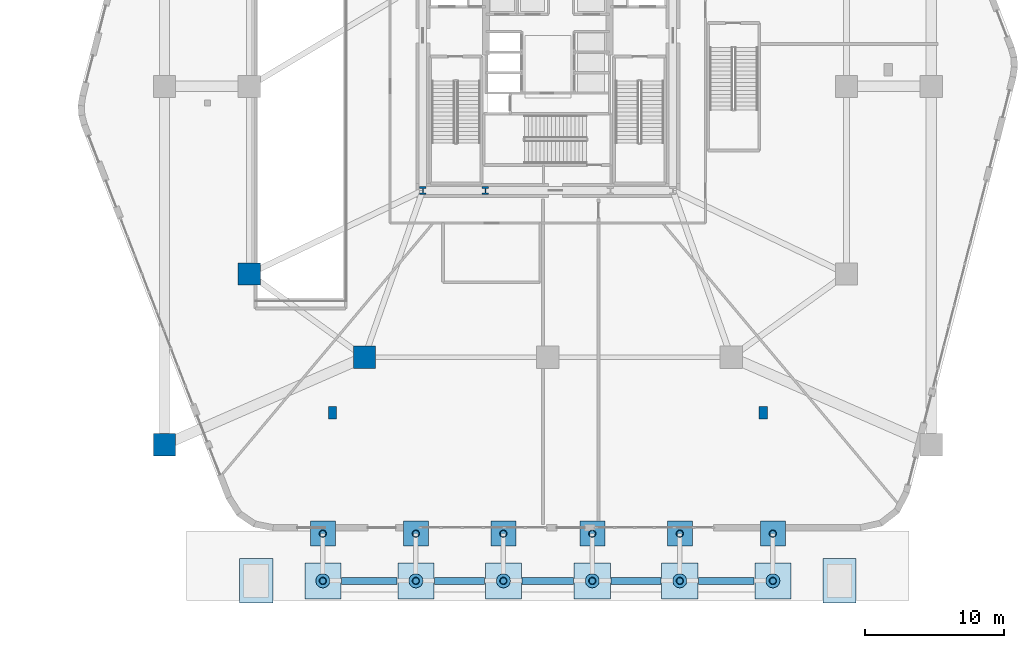
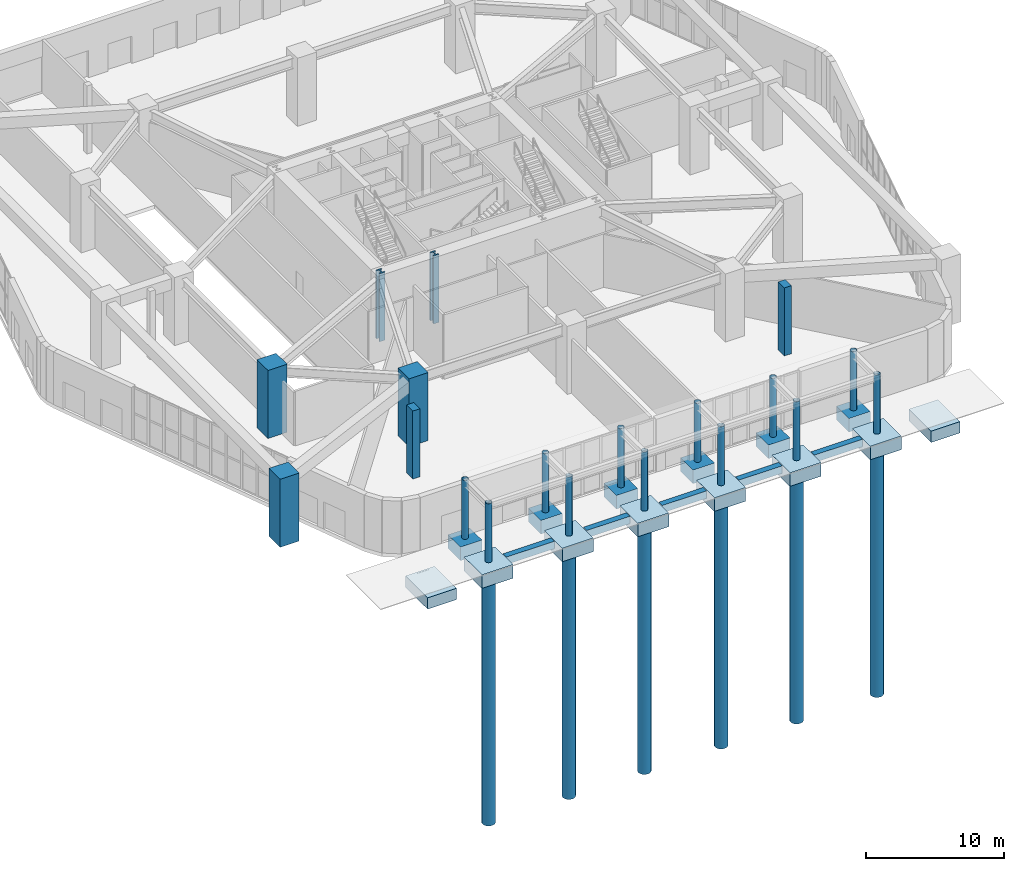
# One storey, part 1 of 35: 19 columns, 19 footings, 6 piles.
"""IFC4 building model written with IfcOpenShell, lengths in metres."""

from ifc_helpers import new_model, si_unit, direction, frame, origin, origin_2d, place, context, subcontext, project, spatial, rectangle, circle, hollow_circle, i_section, extrude, material, layer, layer_set, material_profile, profile_set, type_object, element, save


model = new_model("IFC4")

# Units and contexts
model_context = context("Model", 3, precision=1e-05, world=origin(), true_north=direction((0.0, 1.0)))
body_context = subcontext(model_context, "Body", "Model", "MODEL_VIEW")
ifc_project = project(units=[si_unit("LENGTHUNIT", "METRE"), si_unit("AREAUNIT", "SQUARE_METRE"), si_unit("VOLUMEUNIT", "CUBIC_METRE"), si_unit("PLANEANGLEUNIT", "RADIAN"), si_unit("MASSUNIT", "GRAM", prefix="KILO")], contexts=[model_context])

# Site, building, storey
site_placement = place(None, origin())
site = spatial("IfcSite", under=ifc_project, at=site_placement, CompositionType="ELEMENT")
building_placement = place(site_placement, origin())
building = spatial("IfcBuilding", under=site, at=building_placement, Name="Kilnhurst Terrace Hotel", CompositionType="ELEMENT")
storey_placement = place(building_placement, origin())
storey = spatial("IfcBuildingStorey", under=building, at=storey_placement, Name="L00", CompositionType="ELEMENT", Elevation=0.0)

# Footings
ifc_material_1 = material(Name="Concrete C50/60", Category="concrete")
ifc_material_profile_1 = material_profile(ifc_material_1, rectangle(XDim=0.5, YDim=0.64990234375, at=origin_2d()), Name="RC500X650")
ifc_profile_set_1 = profile_set([ifc_material_profile_1], Name="Concrete C50/60")
footing_type_1 = type_object("IfcFootingType", Name="FTG-GB-500X800", PredefinedType="FOOTING_BEAM", material=ifc_profile_set_1)
footing_1_placement = place(storey_placement, frame((-14.85009765625, -35.60009765625, -0.324951171875), z_axis=(1.0, 0.0, 0.0), x_axis=(0.0, 1.0, 0.0)))
element("IfcFooting", 1, at=footing_1_placement, inside=storey, type_object=footing_type_1, Name="Porte Cochere Grade Beam 1", PredefinedType="FOOTING_BEAM", context=body_context, shape_type="SweptSolid", body=[
    extrude(rectangle(XDim=0.5, YDim=0.64990234375, at=origin_2d()), origin(), (0.0, 0.0, 1.0), 4.0),
])
footing_2_placement = place(storey_placement, frame((-8.14990234375, -35.60009765625, -0.324951171875), z_axis=(1.0, 0.0, 0.0), x_axis=(0.0, 1.0, 0.0)))
element("IfcFooting", 2, at=footing_2_placement, inside=storey, type_object=footing_type_1, Name="Porte Cochere Grade Beam 2", PredefinedType="FOOTING_BEAM", context=body_context, shape_type="SweptSolid", body=[
    extrude(rectangle(XDim=0.5, YDim=0.64990234375, at=origin_2d()), origin(), (0.0, 0.0, 1.0), 3.599853515625),
])
footing_3_placement = place(storey_placement, frame((-1.85009765625, -35.60009765625, -0.324951171875), z_axis=(1.0, 0.0, 0.0), x_axis=(0.0, 1.0, 0.0)))
element("IfcFooting", 3, at=footing_3_placement, inside=storey, type_object=footing_type_1, Name="Porte Cochere Grade Beam 3", PredefinedType="FOOTING_BEAM", context=body_context, shape_type="SweptSolid", body=[
    extrude(rectangle(XDim=0.5, YDim=0.64990234375, at=origin_2d()), origin(), (0.0, 0.0, 1.0), 3.7001953125),
])
footing_4_placement = place(storey_placement, frame((4.550048828125, -35.60009765625, -0.324951171875), z_axis=(1.0, 0.0, 0.0), x_axis=(0.0, 1.0, 0.0)))
element("IfcFooting", 4, at=footing_4_placement, inside=storey, type_object=footing_type_1, Name="Porte Cochere Grade Beam 4", PredefinedType="FOOTING_BEAM", context=body_context, shape_type="SweptSolid", body=[
    extrude(rectangle(XDim=0.5, YDim=0.64990234375, at=origin_2d()), origin(), (0.0, 0.0, 1.0), 3.599853515625),
])
footing_5_placement = place(storey_placement, frame((10.85009765625, -35.60009765625, -0.324951171875), z_axis=(1.0, 0.0, 0.0), x_axis=(0.0, 1.0, 0.0)))
element("IfcFooting", 5, at=footing_5_placement, inside=storey, type_object=footing_type_1, Name="Porte Cochere Grade Beam 5", PredefinedType="FOOTING_BEAM", context=body_context, shape_type="SweptSolid", body=[
    extrude(rectangle(XDim=0.5, YDim=0.64990234375, at=origin_2d()), origin(), (0.0, 0.0, 1.0), 4.0),
])
ifc_layer_1 = layer(ifc_material_1, 1.199951171875, Name="Concrete C50/60")
ifc_layer_set_1 = layer_set([ifc_layer_1], Name="Concrete C50/60")
footing_type_2 = type_object("IfcFootingType", Name="FTG-PAD-1800", PredefinedType="PAD_FOOTING", material=ifc_layer_set_1)
for number, where, z_axis, x_axis, name in (
    (6, (-16.199951171875, -32.199951171875, -1.2001953125), (0.0, 0.0, 1.0), (1.0, 0.0, 0.0), "Porte Cochere Inner Pad Footing 1"),
    (7, (-9.5, -32.199951171875, -1.2001953125), (0.0, 0.0, 1.0), (1.0, 0.0, 0.0), "Porte Cochere Inner Pad Footing 2"),
    (8, (-3.199951171875, -32.199951171875, -1.2001953125), (0.0, 0.0, 1.0), (1.0, 0.0, 0.0), "Porte Cochere Inner Pad Footing 3"),
    (9, (3.199951171875, -32.199951171875, -1.2001953125), (0.0, 0.0, 1.0), (1.0, 0.0, 0.0), "Porte Cochere Inner Pad Footing 4"),
    (10, (9.5, -32.199951171875, -1.2001953125), (0.0, 0.0, 1.0), (1.0, 0.0, 0.0), "Porte Cochere Inner Pad Footing 5"),
    (11, (16.199951171875, -32.199951171875, -1.2001953125), (0.0, 0.0, 1.0), (1.0, 0.0, 0.0), "Porte Cochere Inner Pad Footing 6"),
):
    element("IfcFooting", number, at=place(storey_placement, frame(where, z_axis=z_axis, x_axis=x_axis)), inside=storey, type_object=footing_type_2, Name=name, PredefinedType="PAD_FOOTING", context=body_context, shape_type="SweptSolid", body=[
        extrude(rectangle(XDim=1.800048828125, YDim=1.800048828125, at=origin_2d()), origin(), (0.0, 0.0, 1.0), 1.199951171875),
    ])
ifc_layer_2 = layer(ifc_material_1, 1.0, Name="Concrete C50/60")
ifc_layer_set_2 = layer_set([ifc_layer_2], Name="Concrete C50/60")
footing_type_3 = type_object("IfcFootingType", Name="FTG-PAD-2400X3200", PredefinedType="PAD_FOOTING", material=ifc_layer_set_2)
for number, where, z_axis, x_axis, name in (
    (12, (-21.0, -35.60009765625, -1.199951171875), (0.0, 0.0, 1.0), (1.0, 0.0, 0.0), "Accessible Ramp Footing 1A"),
    (13, (21.0, -35.60009765625, -1.199951171875), (0.0, 0.0, 1.0), (1.0, 0.0, 0.0), "Accessible Ramp Footing 2A"),
):
    element("IfcFooting", number, at=place(storey_placement, frame(where, z_axis=z_axis, x_axis=x_axis)), inside=storey, type_object=footing_type_3, Name=name, PredefinedType="PAD_FOOTING", context=body_context, shape_type="SweptSolid", body=[
        extrude(rectangle(XDim=2.39990234375, YDim=3.199951171875, at=origin_2d()), origin(), (0.0, 0.0, 1.0), 1.0),
    ])
ifc_layer_3 = layer(ifc_material_1, 1.199951171875, Name="Concrete C50/60")
ifc_layer_set_3 = layer_set([ifc_layer_3], Name="Concrete C50/60")
footing_type_4 = type_object("IfcFootingType", Name="FTG-PAD-2600", PredefinedType="PAD_FOOTING", material=ifc_layer_set_3)
for number, where, z_axis, x_axis, name in (
    (14, (-16.199951171875, -35.60009765625, -1.2001953125), (0.0, 0.0, 1.0), (1.0, 0.0, 0.0), "Porte Cochere Pad Footing PF-1.1"),
    (15, (-9.5, -35.60009765625, -1.2001953125), (0.0, 0.0, 1.0), (1.0, 0.0, 0.0), "Porte Cochere Pad Footing PF-1.2"),
    (16, (-3.199951171875, -35.60009765625, -1.2001953125), (0.0, 0.0, 1.0), (1.0, 0.0, 0.0), "Porte Cochere Pad Footing PF-1.3"),
    (17, (3.199951171875, -35.60009765625, -1.2001953125), (0.0, 0.0, 1.0), (1.0, 0.0, 0.0), "Porte Cochere Pad Footing PF-1.4"),
    (18, (9.5, -35.60009765625, -1.2001953125), (0.0, 0.0, 1.0), (1.0, 0.0, 0.0), "Porte Cochere Pad Footing PF-1.5"),
    (19, (16.199951171875, -35.60009765625, -1.2001953125), (0.0, 0.0, 1.0), (1.0, 0.0, 0.0), "Porte Cochere Pad Footing PF-1.6"),
):
    element("IfcFooting", number, at=place(storey_placement, frame(where, z_axis=z_axis, x_axis=x_axis)), inside=storey, type_object=footing_type_4, Name=name, PredefinedType="PAD_FOOTING", context=body_context, shape_type="SweptSolid", body=[
        extrude(rectangle(XDim=2.60009765625, YDim=2.60009765625, at=origin_2d()), origin(), (0.0, 0.0, 1.0), 1.199951171875),
    ])

# Piles
ifc_material_profile_2 = material_profile(ifc_material_1, circle(Radius=0.5, at=origin_2d()), Name="PILE1000")
ifc_profile_set_2 = profile_set([ifc_material_profile_2], Name="Concrete C50/60")
pile_type = type_object("IfcPileType", Name="PILE-BORED-1000", PredefinedType="BORED", material=ifc_profile_set_2)
for number, where, z_axis, x_axis, name in (
    (20, (-16.199951171875, -35.60009765625, -1.050048828125), (0.0, 0.0, -1.0), (1.0, 0.0, 0.0), "Porte Cochere Drilled Shaft PL-1000.1"),
    (21, (-9.5, -35.60009765625, -1.050048828125), (0.0, 0.0, -1.0), (1.0, 0.0, 0.0), "Porte Cochere Drilled Shaft PL-1000.2"),
    (22, (-3.199951171875, -35.60009765625, -1.050048828125), (0.0, 0.0, -1.0), (1.0, 0.0, 0.0), "Porte Cochere Drilled Shaft PL-1000.3"),
    (23, (3.199951171875, -35.60009765625, -1.050048828125), (0.0, 0.0, -1.0), (1.0, 0.0, 0.0), "Porte Cochere Drilled Shaft PL-1000.4"),
    (24, (9.5, -35.60009765625, -1.050048828125), (0.0, 0.0, -1.0), (1.0, 0.0, 0.0), "Porte Cochere Drilled Shaft PL-1000.5"),
    (25, (16.199951171875, -35.60009765625, -1.050048828125), (0.0, 0.0, -1.0), (1.0, 0.0, 0.0), "Porte Cochere Drilled Shaft PL-1000.6"),
):
    element("IfcPile", number, at=place(storey_placement, frame(where, z_axis=z_axis, x_axis=x_axis)), inside=storey, type_object=pile_type, Name=name, PredefinedType="BORED", context=body_context, shape_type="SweptSolid", body=[
        extrude(circle(Radius=0.5, at=origin_2d()), origin(), (0.0, 0.0, 1.0), 22.0),
    ])

# Columns
ifc_material_2 = material(Name="Steel ASTM A500 Grade C", Category="steel")
ifc_material_profile_3 = material_profile(ifc_material_2, hollow_circle(Radius=0.25390625, WallThickness=0.02001953125, at=origin_2d()), Name="CHS508X20")
ifc_profile_set_3 = profile_set([ifc_material_profile_3], Name="Steel ASTM A500 Grade C")
column_type_1 = type_object("IfcColumnType", Name="COL-CHS-508", PredefinedType="COLUMN", material=ifc_profile_set_3)
for number, where, z_axis, x_axis, name in (
    (26, (-16.199951171875, -35.60009765625, 0.0), (0.0, 0.0, 1.0), (1.0, 0.0, 0.0), "Porte Cochere Canopy Column 1"),
    (27, (-16.199951171875, -32.199951171875, 0.0), (0.0, 0.0, 1.0), (1.0, 0.0, 0.0), "Porte Cochere Inner Canopy Column 1"),
    (28, (-9.5, -35.60009765625, 0.0), (0.0, 0.0, 1.0), (1.0, 0.0, 0.0), "Porte Cochere Canopy Column 2"),
    (29, (-9.5, -32.199951171875, 0.0), (0.0, 0.0, 1.0), (1.0, 0.0, 0.0), "Porte Cochere Inner Canopy Column 2"),
    (30, (-3.199951171875, -35.60009765625, 0.0), (0.0, 0.0, 1.0), (1.0, 0.0, 0.0), "Porte Cochere Canopy Column 3"),
    (31, (-3.199951171875, -32.199951171875, 0.0), (0.0, 0.0, 1.0), (1.0, 0.0, 0.0), "Porte Cochere Inner Canopy Column 3"),
    (32, (3.199951171875, -35.60009765625, 0.0), (0.0, 0.0, 1.0), (1.0, 0.0, 0.0), "Porte Cochere Canopy Column 4"),
    (33, (3.199951171875, -32.199951171875, 0.0), (0.0, 0.0, 1.0), (1.0, 0.0, 0.0), "Porte Cochere Inner Canopy Column 4"),
    (34, (9.5, -35.60009765625, 0.0), (0.0, 0.0, 1.0), (1.0, 0.0, 0.0), "Porte Cochere Canopy Column 5"),
    (35, (9.5, -32.199951171875, 0.0), (0.0, 0.0, 1.0), (1.0, 0.0, 0.0), "Porte Cochere Inner Canopy Column 5"),
    (36, (16.199951171875, -35.60009765625, 0.0), (0.0, 0.0, 1.0), (1.0, 0.0, 0.0), "Porte Cochere Canopy Column 6"),
    (37, (16.199951171875, -32.199951171875, 0.0), (0.0, 0.0, 1.0), (1.0, 0.0, 0.0), "Porte Cochere Inner Canopy Column 6"),
):
    element("IfcColumn", number, at=place(storey_placement, frame(where, z_axis=z_axis, x_axis=x_axis)), inside=storey, type_object=column_type_1, Name=name, PredefinedType="COLUMN", context=body_context, shape_type="SweptSolid", body=[
        extrude(hollow_circle(Radius=0.25390625, WallThickness=0.02001953125, at=origin_2d()), origin(), (0.0, 0.0, 1.0), 5.199951171875),
    ])
ifc_material_3 = material(Name="Concrete C80/95", Category="concrete")
ifc_material_profile_4 = material_profile(ifc_material_3, rectangle(XDim=1.60009765625, YDim=1.60009765625, at=origin_2d()), Name="RC1600X1600")
ifc_profile_set_4 = profile_set([ifc_material_profile_4], Name="Concrete C80/95")
column_type_2 = type_object("IfcColumnType", Name="COL-RC-1600", PredefinedType="COLUMN", material=ifc_profile_set_4)
for number, where, z_axis, x_axis, name in (
    (38, (-21.5, -13.5, 0.0), (0.0, 0.0, 1.0), (1.0, 0.0, 0.0), "L00 Structural Column MC-W1"),
    (39, (-13.199951171875, -19.5, 0.0), (0.0, 0.0, 1.0), (1.0, 0.0, 0.0), "L00 Structural Column MC-S1"),
    (40, (-27.60009765625, -25.800048828125, 0.0), (0.0, 0.0, 1.0), (1.0, 0.0, 0.0), "L00 Structural Column BC-SW"),
):
    element("IfcColumn", number, at=place(storey_placement, frame(where, z_axis=z_axis, x_axis=x_axis)), inside=storey, type_object=column_type_2, Name=name, PredefinedType="COLUMN", context=body_context, shape_type="SweptSolid", body=[
        extrude(rectangle(XDim=1.60009765625, YDim=1.60009765625, at=origin_2d()), origin(), (0.0, 0.0, 1.0), 6.0),
    ])
ifc_material_4 = material(Name="Steel ASTM A992 Grade 50", Category="steel")
ifc_material_profile_5 = material_profile(ifc_material_4, i_section(OverallWidth=0.454345703125, OverallDepth=0.569091796875, WebThickness=0.077880859375, FlangeThickness=0.124755859375, at=origin_2d()), Name="W14X730")
ifc_profile_set_5 = profile_set([ifc_material_profile_5], Name="Steel ASTM A992 Grade 50")
column_type_3 = type_object("IfcColumnType", Name="COL-STL-W14X730", PredefinedType="COLUMN", material=ifc_profile_set_5)
for number, where, z_axis, x_axis, name in (
    (41, (-9.0, -7.5, 0.0), (0.0, 0.0, 1.0), (1.0, 0.0, 0.0), "L00 Structural Column CC-SW"),
    (42, (-4.5, -7.5, 0.0), (0.0, 0.0, 1.0), (1.0, 0.0, 0.0), "L00 Structural Column CC-SC1"),
):
    element("IfcColumn", number, at=place(storey_placement, frame(where, z_axis=z_axis, x_axis=x_axis)), inside=storey, type_object=column_type_3, Name=name, PredefinedType="COLUMN", context=body_context, shape_type="SweptSolid", body=[
        extrude(i_section(OverallWidth=0.454345703125, OverallDepth=0.569091796875, WebThickness=0.077880859375, FlangeThickness=0.124755859375, at=origin_2d()), origin(), (0.0, 0.0, 1.0), 6.0),
    ])
ifc_material_5 = material(Name="Concrete C60/75", Category="concrete")
ifc_material_profile_6 = material_profile(ifc_material_5, rectangle(XDim=0.60009765625, YDim=0.89990234375, at=origin_2d()), Name="RC600X900")
ifc_profile_set_6 = profile_set([ifc_material_profile_6], Name="Concrete C60/75")
column_type_4 = type_object("IfcColumnType", Name="PIL-RC-600X900", PredefinedType="PILASTER", material=ifc_profile_set_6)
for number, where, z_axis, x_axis, name in (
    (43, (-15.5, -23.5, 0.0), (0.0, 0.0, 1.0), (1.0, 0.0, 0.0), "L00 Continuous Structural Pilaster PIL1"),
    (44, (15.5, -23.5, 0.0), (0.0, 0.0, 1.0), (1.0, 0.0, 0.0), "L00 Continuous Structural Pilaster PIL2"),
):
    element("IfcColumn", number, at=place(storey_placement, frame(where, z_axis=z_axis, x_axis=x_axis)), inside=storey, type_object=column_type_4, Name=name, PredefinedType="PILASTER", context=body_context, shape_type="SweptSolid", body=[
        extrude(rectangle(XDim=0.60009765625, YDim=0.89990234375, at=origin_2d()), origin(), (0.0, 0.0, 1.0), 6.0),
    ])

save(model, "model.ifc")
